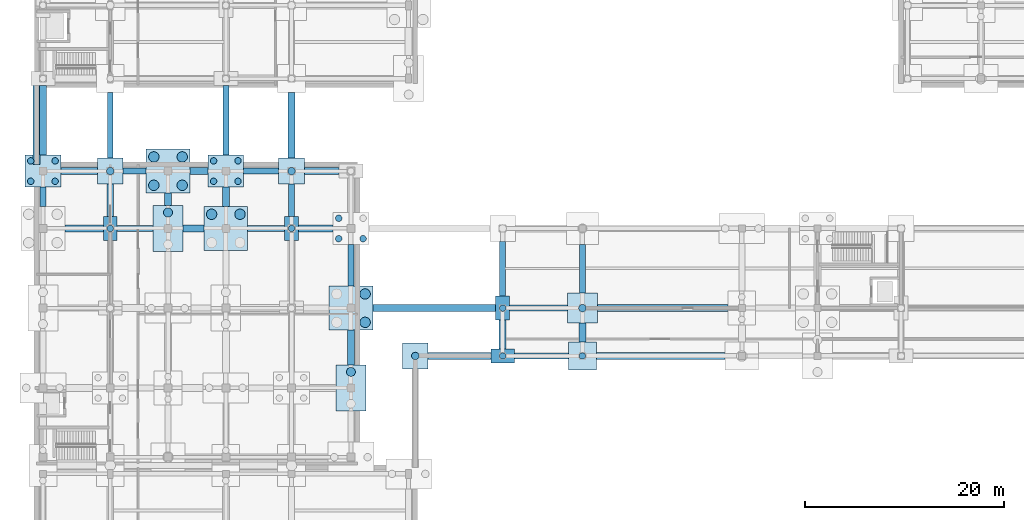
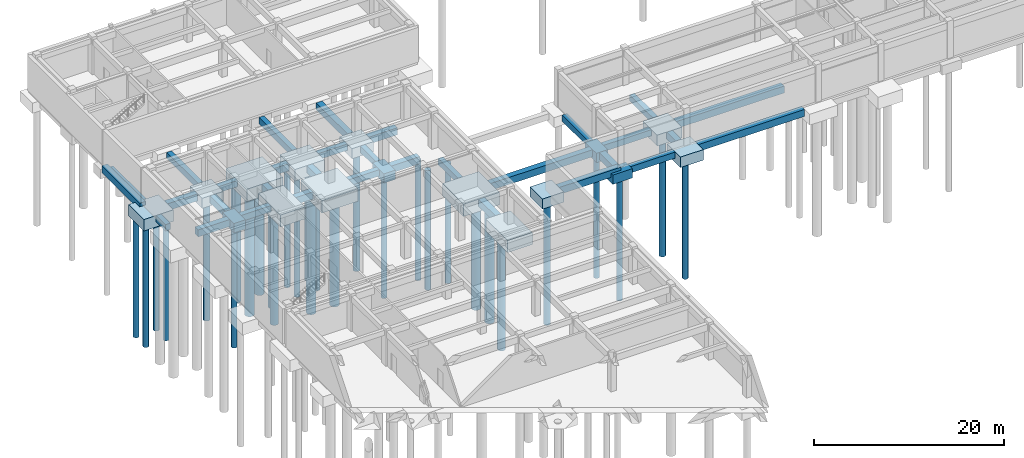
# One storey, part 4 of 35: 48 footings, 30 piles.
"""IFC4 building model written with IfcOpenShell, lengths in metres."""

from ifc_helpers import new_model, si_unit, direction, frame, origin, origin_2d, place, context, subcontext, project, spatial, polyline, rectangle, circle, outline, extrude, material, layer, layer_set, material_profile, profile_set, type_object, element, save


model = new_model("IFC4")

# Units and contexts
model_context = context("Model", 3, precision=1e-05, world=origin(), true_north=direction((0.0, 1.0)))
body_context = subcontext(model_context, "Body", "Model", "MODEL_VIEW")
ifc_project = project(units=[si_unit("LENGTHUNIT", "METRE"), si_unit("AREAUNIT", "SQUARE_METRE"), si_unit("VOLUMEUNIT", "CUBIC_METRE"), si_unit("PLANEANGLEUNIT", "RADIAN"), si_unit("MASSUNIT", "GRAM", prefix="KILO")], contexts=[model_context])

# Site, building, storey
site_placement = place(None, origin())
site = spatial("IfcSite", under=ifc_project, at=site_placement, CompositionType="ELEMENT")
building_placement = place(site_placement, origin())
building = spatial("IfcBuilding", under=site, at=building_placement, Name="Cinchona Park Media Centre", CompositionType="ELEMENT")
storey_placement = place(building_placement, frame((0.0, 0.0, -4.800048828125)))
storey = spatial("IfcBuildingStorey", under=building, at=storey_placement, Name="B1", CompositionType="ELEMENT", Elevation=-4.800048828125)

# Footings
ifc_material_1 = material(Name="Concrete C40/50", Category="concrete")
ifc_layer_1 = layer(ifc_material_1, 0.800048828125)
ifc_layer_set_1 = layer_set([ifc_layer_1], Name="Concrete C40/50")
footing_type_1 = type_object("IfcFootingType", Name="FTG-BEAM-FB01", PredefinedType="FOOTING_BEAM", material=ifc_layer_set_1)
footing_1_placement = place(storey_placement, frame((0.0, 0.0, -1.199951171875)))
element("IfcFooting", 1, at=footing_1_placement, inside=storey, type_object=footing_type_1, Name="Ground Tie Beam FB01", PredefinedType="FOOTING_BEAM", context=body_context, shape_type="SweptSolid", body=[
    extrude(outline(polyline([(56.0, 74.5), (61.39990234375, 74.5), (61.39990234375, 75.10009765625), (56.0, 75.10009765625), (56.0, 74.5)])), origin(), (0.0, 0.0, 1.0), 0.800048828125),
])
footing_2_placement = place(storey_placement, frame((0.0, 0.0, -1.199951171875)))
element("IfcFooting", 2, at=footing_2_placement, inside=storey, type_object=footing_type_1, Name="Ground Tie Beam FB01", PredefinedType="FOOTING_BEAM", context=body_context, shape_type="SweptSolid", body=[
    extrude(outline(polyline([(55.5, 79.300048828125), (61.300048828125, 79.300048828125), (61.300048828125, 79.89990234375), (55.5, 79.89990234375), (55.5, 79.300048828125)])), origin(), (0.0, 0.0, 1.0), 0.800048828125),
])
footing_3_placement = place(storey_placement, frame((0.0, 0.0, -1.25)))
element("IfcFooting", 3, at=footing_3_placement, inside=storey, type_object=footing_type_1, Name="Ground Tie Beam FB01", PredefinedType="FOOTING_BEAM", context=body_context, shape_type="SweptSolid", body=[
    extrude(outline(polyline([(16.10009765625, 87.300048828125), (19.699951171875, 87.300048828125), (19.699951171875, 87.89990234375), (16.10009765625, 87.89990234375), (16.10009765625, 87.300048828125)])), origin(), (0.0, 0.0, 1.0), 0.800048828125),
])
footing_4_placement = place(storey_placement, frame((0.0, 0.0, -1.25)))
element("IfcFooting", 4, at=footing_4_placement, inside=storey, type_object=footing_type_1, Name="Ground Tie Beam FB01", PredefinedType="FOOTING_BEAM", context=body_context, shape_type="SweptSolid", body=[
    extrude(outline(polyline([(29.199951171875, 87.300048828125), (32.89990234375, 87.300048828125), (32.89990234375, 87.89990234375), (29.199951171875, 87.89990234375), (29.199951171875, 87.300048828125)])), origin(), (0.0, 0.0, 1.0), 0.800048828125),
])
footing_5_placement = place(storey_placement, frame((0.0, 0.0, -1.25)))
element("IfcFooting", 5, at=footing_5_placement, inside=storey, type_object=footing_type_1, Name="Ground Tie Beam FB01", PredefinedType="FOOTING_BEAM", context=body_context, shape_type="SweptSolid", body=[
    extrude(outline(polyline([(16.699951171875, 93.06005859375), (19.0, 93.06005859375), (19.0, 93.659912109375), (16.699951171875, 93.659912109375), (16.699951171875, 93.06005859375)])), origin(), (0.0, 0.0, 1.0), 0.800048828125),
])
footing_6_placement = place(storey_placement, frame((0.0, 0.0, -1.25)))
element("IfcFooting", 6, at=footing_6_placement, inside=storey, type_object=footing_type_1, Name="Ground Tie Beam FB01", PredefinedType="FOOTING_BEAM", context=body_context, shape_type="SweptSolid", body=[
    extrude(outline(polyline([(28.800048828125, 93.06005859375), (32.300048828125, 93.06005859375), (32.300048828125, 93.659912109375), (28.800048828125, 93.659912109375), (28.800048828125, 93.06005859375)])), origin(), (0.0, 0.0, 1.0), 0.800048828125),
])
footing_7_placement = place(storey_placement, frame((0.0, 0.0, -1.25)))
element("IfcFooting", 7, at=footing_7_placement, inside=storey, type_object=footing_type_1, Name="Ground Tie Beam FB01", PredefinedType="FOOTING_BEAM", context=body_context, shape_type="SweptSolid", body=[
    extrude(outline(polyline([(8.340087890625, 89.800048828125), (8.93994140625, 89.800048828125), (8.93994140625, 91.760009765625), (8.340087890625, 91.760009765625), (8.340087890625, 89.800048828125)])), origin(), (0.0, 0.0, 1.0), 0.800048828125),
])
footing_8_placement = place(storey_placement, frame((0.0, 0.0, -1.25)))
element("IfcFooting", 8, at=footing_8_placement, inside=storey, type_object=footing_type_1, Name="Ground Tie Beam FB01", PredefinedType="FOOTING_BEAM", context=body_context, shape_type="SweptSolid", body=[
    extrude(outline(polyline([(15.10009765625, 94.659912109375), (15.699951171875, 94.659912109375), (15.699951171875, 101.239990234375), (15.10009765625, 101.239990234375), (15.10009765625, 94.659912109375)])), origin(), (0.0, 0.0, 1.0), 0.800048828125),
])
footing_9_placement = place(storey_placement, frame((0.0, 0.0, -1.25)))
element("IfcFooting", 9, at=footing_9_placement, inside=storey, type_object=footing_type_1, Name="Ground Tie Beam FB01", PredefinedType="FOOTING_BEAM", context=body_context, shape_type="SweptSolid", body=[
    extrude(outline(polyline([(26.699951171875, 94.9599609375), (27.300048828125, 94.9599609375), (27.300048828125, 101.93994140625), (26.699951171875, 101.93994140625), (26.699951171875, 94.9599609375)])), origin(), (0.0, 0.0, 1.0), 0.800048828125),
])
footing_10_placement = place(storey_placement, frame((0.0, 0.0, -1.25)))
element("IfcFooting", 10, at=footing_10_placement, inside=storey, type_object=footing_type_1, Name="Ground Tie Beam FB01", PredefinedType="FOOTING_BEAM", context=body_context, shape_type="SweptSolid", body=[
    extrude(outline(polyline([(33.300048828125, 88.800048828125), (33.89990234375, 88.800048828125), (33.89990234375, 92.06005859375), (33.300048828125, 92.06005859375), (33.300048828125, 88.800048828125)])), origin(), (0.0, 0.0, 1.0), 0.800048828125),
])
footing_11_placement = place(storey_placement, frame((0.0, 0.0, -1.25)))
element("IfcFooting", 11, at=footing_11_placement, inside=storey, type_object=footing_type_1, Name="Ground Tie Beam FB01", PredefinedType="FOOTING_BEAM", context=body_context, shape_type="SweptSolid", body=[
    extrude(outline(polyline([(39.260009765625, 81.800048828125), (39.860107421875, 81.800048828125), (39.860107421875, 86.0), (39.260009765625, 86.0), (39.260009765625, 81.800048828125)])), origin(), (0.0, 0.0, 1.0), 0.800048828125),
])
footing_12_placement = place(storey_placement, frame((0.0, 0.0, -1.199951171875)))
element("IfcFooting", 12, at=footing_12_placement, inside=storey, type_object=footing_type_1, Name="Ground Tie Beam FB01", PredefinedType="FOOTING_BEAM", context=body_context, shape_type="SweptSolid", body=[
    extrude(outline(polyline([(54.5, 80.800048828125), (55.10009765625, 80.800048828125), (55.10009765625, 86.300048828125), (54.5, 86.300048828125), (54.5, 80.800048828125)])), origin(), (0.0, 0.0, 1.0), 0.800048828125),
])
footing_13_placement = place(storey_placement, frame((0.0, 0.0, -1.199951171875)))
element("IfcFooting", 13, at=footing_13_placement, inside=storey, type_object=footing_type_1, Name="Ground Tie Beam FB01", PredefinedType="FOOTING_BEAM", context=body_context, shape_type="SweptSolid", body=[
    extrude(outline(polyline([(62.5, 81.10009765625), (63.10009765625, 81.10009765625), (63.10009765625, 86.0), (62.5, 86.0), (62.5, 81.10009765625)])), origin(), (0.0, 0.0, 1.0), 0.800048828125),
])
ifc_material_2 = material(Name="Concrete C40/50", Category="concrete")
ifc_layer_2 = layer(ifc_material_2, 0.89990234375)
ifc_layer_set_2 = layer_set([ifc_layer_2], Name="Concrete C40/50")
footing_type_2 = type_object("IfcFootingType", Name="FTG-BEAM-FB02", PredefinedType="FOOTING_BEAM", material=ifc_layer_set_2)
footing_14_placement = place(storey_placement, frame((0.0, 0.0, -1.300048828125)))
element("IfcFooting", 14, at=footing_14_placement, inside=storey, type_object=footing_type_2, Name="Ground Tie Beam FB02", PredefinedType="FOOTING_BEAM", context=body_context, shape_type="SweptSolid", body=[
    extrude(outline(polyline([(64.199951171875, 74.449951171875), (77.10009765625, 74.449951171875), (77.10009765625, 75.14990234375), (64.199951171875, 75.14990234375), (64.199951171875, 74.449951171875)])), origin(), (0.0, 0.0, 1.0), 0.900146484375),
])
footing_15_placement = place(storey_placement, frame((0.0, 0.0, -1.349853515625)))
element("IfcFooting", 15, at=footing_15_placement, inside=storey, type_object=footing_type_2, Name="Ground Tie Beam FB02", PredefinedType="FOOTING_BEAM", context=body_context, shape_type="SweptSolid", body=[
    extrude(outline(polyline([(41.760009765625, 79.25), (54.10009765625, 79.25), (54.10009765625, 79.949951171875), (41.760009765625, 79.949951171875), (41.760009765625, 79.25)])), origin(), (0.0, 0.0, 1.0), 0.89990234375),
])
footing_16_placement = place(storey_placement, frame((0.0, 0.0, -1.300048828125)))
element("IfcFooting", 16, at=footing_16_placement, inside=storey, type_object=footing_type_2, Name="Ground Tie Beam FB02", PredefinedType="FOOTING_BEAM", context=body_context, shape_type="SweptSolid", body=[
    extrude(outline(polyline([(64.300048828125, 79.25), (77.39990234375, 79.25), (77.39990234375, 79.949951171875), (64.300048828125, 79.949951171875), (64.300048828125, 79.25)])), origin(), (0.0, 0.0, 1.0), 0.900146484375),
])
footing_17_placement = place(storey_placement, frame((0.0, 0.0, -1.349853515625)))
element("IfcFooting", 17, at=footing_17_placement, inside=storey, type_object=footing_type_2, Name="Ground Tie Beam FB02", PredefinedType="FOOTING_BEAM", context=body_context, shape_type="SweptSolid", body=[
    extrude(outline(polyline([(10.840087890625, 87.25), (14.699951171875, 87.25), (14.699951171875, 87.949951171875), (10.840087890625, 87.949951171875), (10.840087890625, 87.25)])), origin(), (0.0, 0.0, 1.0), 0.89990234375),
])
footing_18_placement = place(storey_placement, frame((0.0, 0.0, -1.349853515625)))
element("IfcFooting", 18, at=footing_18_placement, inside=storey, type_object=footing_type_2, Name="Ground Tie Beam FB02", PredefinedType="FOOTING_BEAM", context=body_context, shape_type="SweptSolid", body=[
    extrude(outline(polyline([(22.699951171875, 87.25), (24.800048828125, 87.25), (24.800048828125, 87.949951171875), (22.699951171875, 87.949951171875), (22.699951171875, 87.25)])), origin(), (0.0, 0.0, 1.0), 0.89990234375),
])
footing_19_placement = place(storey_placement, frame((0.0, 0.0, -1.349853515625)))
element("IfcFooting", 19, at=footing_19_placement, inside=storey, type_object=footing_type_2, Name="Ground Tie Beam FB02", PredefinedType="FOOTING_BEAM", context=body_context, shape_type="SweptSolid", body=[
    extrude(outline(polyline([(34.300048828125, 87.25), (37.760009765625, 87.25), (37.760009765625, 87.949951171875), (34.300048828125, 87.949951171875), (34.300048828125, 87.25)])), origin(), (0.0, 0.0, 1.0), 0.89990234375),
])
footing_20_placement = place(storey_placement, frame((0.0, 0.0, -1.349853515625)))
element("IfcFooting", 20, at=footing_20_placement, inside=storey, type_object=footing_type_2, Name="Ground Tie Beam FB02", PredefinedType="FOOTING_BEAM", context=body_context, shape_type="SweptSolid", body=[
    extrude(outline(polyline([(10.43994140625, 93.010009765625), (14.10009765625, 93.010009765625), (14.10009765625, 93.7099609375), (10.43994140625, 93.7099609375), (10.43994140625, 93.010009765625)])), origin(), (0.0, 0.0, 1.0), 0.89990234375),
])
footing_21_placement = place(storey_placement, frame((0.0, 0.0, -1.349853515625)))
element("IfcFooting", 21, at=footing_21_placement, inside=storey, type_object=footing_type_2, Name="Ground Tie Beam FB02", PredefinedType="FOOTING_BEAM", context=body_context, shape_type="SweptSolid", body=[
    extrude(outline(polyline([(23.39990234375, 93.010009765625), (25.199951171875, 93.010009765625), (25.199951171875, 93.7099609375), (23.39990234375, 93.7099609375), (23.39990234375, 93.010009765625)])), origin(), (0.0, 0.0, 1.0), 0.89990234375),
])
footing_22_placement = place(storey_placement, frame((0.0, 0.0, -1.349853515625)))
element("IfcFooting", 22, at=footing_22_placement, inside=storey, type_object=footing_type_2, Name="Ground Tie Beam FB02", PredefinedType="FOOTING_BEAM", context=body_context, shape_type="SweptSolid", body=[
    extrude(outline(polyline([(34.89990234375, 93.010009765625), (38.360107421875, 93.010009765625), (38.360107421875, 93.7099609375), (34.89990234375, 93.7099609375), (34.89990234375, 93.010009765625)])), origin(), (0.0, 0.0, 1.0), 0.89990234375),
])
footing_23_placement = place(storey_placement, frame((0.0, 0.0, -1.349853515625)))
element("IfcFooting", 23, at=footing_23_placement, inside=storey, type_object=footing_type_2, Name="Ground Tie Beam FB02", PredefinedType="FOOTING_BEAM", context=body_context, shape_type="SweptSolid", body=[
    extrude(outline(polyline([(8.2900390625, 94.9599609375), (8.989990234375, 94.9599609375), (8.989990234375, 101.93994140625), (8.2900390625, 101.93994140625), (8.2900390625, 94.9599609375)])), origin(), (0.0, 0.0, 1.0), 0.89990234375),
])
footing_24_placement = place(storey_placement, frame((0.0, 0.0, -1.349853515625)))
element("IfcFooting", 24, at=footing_24_placement, inside=storey, type_object=footing_type_2, Name="Ground Tie Beam FB02", PredefinedType="FOOTING_BEAM", context=body_context, shape_type="SweptSolid", body=[
    extrude(outline(polyline([(15.050048828125, 88.800048828125), (15.75, 88.800048828125), (15.75, 92.06005859375), (15.050048828125, 92.06005859375), (15.050048828125, 88.800048828125)])), origin(), (0.0, 0.0, 1.0), 0.89990234375),
])
footing_25_placement = place(storey_placement, frame((0.0, 0.0, -1.349853515625)))
element("IfcFooting", 25, at=footing_25_placement, inside=storey, type_object=footing_type_2, Name="Ground Tie Beam FB02", PredefinedType="FOOTING_BEAM", context=body_context, shape_type="SweptSolid", body=[
    extrude(outline(polyline([(20.85009765625, 89.89990234375), (21.550048828125, 89.89990234375), (21.550048828125, 91.159912109375), (20.85009765625, 91.159912109375), (20.85009765625, 89.89990234375)])), origin(), (0.0, 0.0, 1.0), 0.89990234375),
])
footing_26_placement = place(storey_placement, frame((0.0, 0.0, -1.349853515625)))
element("IfcFooting", 26, at=footing_26_placement, inside=storey, type_object=footing_type_2, Name="Ground Tie Beam FB02", PredefinedType="FOOTING_BEAM", context=body_context, shape_type="SweptSolid", body=[
    extrude(outline(polyline([(26.64990234375, 89.800048828125), (27.35009765625, 89.800048828125), (27.35009765625, 91.760009765625), (26.64990234375, 91.760009765625), (26.64990234375, 89.800048828125)])), origin(), (0.0, 0.0, 1.0), 0.89990234375),
])
footing_27_placement = place(storey_placement, frame((0.0, 0.0, -1.349853515625)))
element("IfcFooting", 27, at=footing_27_placement, inside=storey, type_object=footing_type_2, Name="Ground Tie Beam FB02", PredefinedType="FOOTING_BEAM", context=body_context, shape_type="SweptSolid", body=[
    extrude(outline(polyline([(33.25, 94.659912109375), (33.949951171875, 94.659912109375), (33.949951171875, 101.239990234375), (33.25, 101.239990234375), (33.25, 94.659912109375)])), origin(), (0.0, 0.0, 1.0), 0.89990234375),
])
footing_28_placement = place(storey_placement, frame((0.0, 0.0, -1.349853515625)))
element("IfcFooting", 28, at=footing_28_placement, inside=storey, type_object=footing_type_2, Name="Ground Tie Beam FB02", PredefinedType="FOOTING_BEAM", context=body_context, shape_type="SweptSolid", body=[
    extrude(outline(polyline([(39.2099609375, 73.89990234375), (39.909912109375, 73.89990234375), (39.909912109375, 77.39990234375), (39.2099609375, 77.39990234375), (39.2099609375, 73.89990234375)])), origin(), (0.0, 0.0, 1.0), 0.89990234375),
])
footing_29_placement = place(storey_placement, frame((0.0, 0.0, -1.300048828125)))
element("IfcFooting", 29, at=footing_29_placement, inside=storey, type_object=footing_type_2, Name="Ground Tie Beam FB02", PredefinedType="FOOTING_BEAM", context=body_context, shape_type="SweptSolid", body=[
    extrude(outline(polyline([(54.449951171875, 75.5), (55.14990234375, 75.5), (55.14990234375, 78.39990234375), (54.449951171875, 78.39990234375), (54.449951171875, 75.5)])), origin(), (0.0, 0.0, 1.0), 0.900146484375),
])
footing_30_placement = place(storey_placement, frame((0.0, 0.0, -1.300048828125)))
element("IfcFooting", 30, at=footing_30_placement, inside=storey, type_object=footing_type_2, Name="Ground Tie Beam FB02", PredefinedType="FOOTING_BEAM", context=body_context, shape_type="SweptSolid", body=[
    extrude(outline(polyline([(62.449951171875, 76.199951171875), (63.14990234375, 76.199951171875), (63.14990234375, 78.10009765625), (62.449951171875, 78.10009765625), (62.449951171875, 76.199951171875)])), origin(), (0.0, 0.0, 1.0), 0.900146484375),
])
footing_31_placement = place(storey_placement, frame((0.0, 0.0, -0.89990234375)))
element("IfcFooting", 31, at=footing_31_placement, inside=storey, type_object=footing_type_2, Name="Ground Tie Beam FB02", PredefinedType="FOOTING_BEAM", context=body_context, shape_type="SweptSolid", body=[
    extrude(outline(polyline([(7.64990234375, 94.010009765625), (8.35009765625, 94.010009765625), (8.35009765625, 101.989990234375), (7.64990234375, 101.989990234375), (7.64990234375, 94.010009765625)])), origin(), (0.0, 0.0, 1.0), 0.89990234375),
])
footing_32_placement = place(storey_placement, frame((0.0, 0.0, -0.89990234375)))
element("IfcFooting", 32, at=footing_32_placement, inside=storey, type_object=footing_type_2, Name="Ground Tie Beam FB02", PredefinedType="FOOTING_BEAM", context=body_context, shape_type="SweptSolid", body=[
    extrude(outline(polyline([(47.320068359375, 74.449951171875), (54.7900390625, 74.449951171875), (54.7900390625, 75.14990234375), (47.320068359375, 75.14990234375), (47.320068359375, 74.449951171875)])), origin(), (0.0, 0.0, 1.0), 0.89990234375),
])

# Piles
ifc_material_3 = material(Name="Concrete C40/50", Category="concrete")
ifc_material_profile_1 = material_profile(ifc_material_3, circle(Radius=0.52490234375, at=origin_2d()), Name="BORED PILE 1050")
ifc_profile_set_1 = profile_set([ifc_material_profile_1], Name="Concrete C40/50")
pile_type_1 = type_object("IfcPileType", Name="PILE-BP1050", PredefinedType="BORED", material=ifc_profile_set_1)
for number, where, z_axis, x_axis, name in (
    (33, (19.77490234375, 91.93505859375, -1.949951171875), (0.0, 0.0, -1.0), (1.0, 0.0, 0.0), "Bored Pile P1050"),
    (34, (19.77490234375, 94.784912109375, -1.949951171875), (0.0, 0.0, -1.0), (1.0, 0.0, 0.0), "Bored Pile P1050"),
    (35, (22.625, 91.93505859375, -1.949951171875), (0.0, 0.0, -1.0), (1.0, 0.0, 0.0), "Bored Pile P1050"),
    (36, (22.625, 94.784912109375, -1.949951171875), (0.0, 0.0, -1.0), (1.0, 0.0, 0.0), "Bored Pile P1050"),
    (37, (25.574951171875, 89.02490234375, -1.949951171875), (0.0, 0.0, -1.0), (1.0, 0.0, 0.0), "Bored Pile P1050"),
    (38, (28.425048828125, 89.02490234375, -1.949951171875), (0.0, 0.0, -1.0), (1.0, 0.0, 0.0), "Bored Pile P1050"),
    (39, (40.985107421875, 78.175048828125, -1.949951171875), (0.0, 0.0, -1.0), (1.0, 0.0, 0.0), "Bored Pile P1050"),
    (40, (40.985107421875, 81.02490234375, -1.949951171875), (0.0, 0.0, -1.0), (1.0, 0.0, 0.0), "Bored Pile P1050"),
):
    element("IfcPile", number, at=place(storey_placement, frame(where, z_axis=z_axis, x_axis=x_axis)), inside=storey, type_object=pile_type_1, Name=name, PredefinedType="BORED", context=body_context, shape_type="SweptSolid", body=[
        extrude(circle(Radius=0.52490234375, at=origin_2d()), origin(), (0.0, 0.0, 1.0), 15.25),
    ])
ifc_material_4 = material(Name="Concrete C40/50", Category="concrete")
ifc_material_profile_2 = material_profile(ifc_material_4, circle(Radius=0.324951171875, at=origin_2d()), Name="BORED PILE 650")
ifc_profile_set_2 = profile_set([ifc_material_profile_2], Name="Concrete C40/50")
pile_type_2 = type_object("IfcPileType", Name="PILE-BP650", PredefinedType="BORED", material=ifc_profile_set_2)
for number, where, z_axis, x_axis, name in (
    (41, (7.4150390625, 92.3349609375, -1.829833984375), (0.0, 0.0, -1.0), (1.0, 0.0, 0.0), "Bored Pile P650"),
    (42, (7.4150390625, 94.385009765625, -1.829833984375), (0.0, 0.0, -1.0), (1.0, 0.0, 0.0), "Bored Pile P650"),
    (43, (9.864990234375, 92.3349609375, -1.829833984375), (0.0, 0.0, -1.0), (1.0, 0.0, 0.0), "Bored Pile P650"),
    (44, (9.864990234375, 94.385009765625, -1.829833984375), (0.0, 0.0, -1.0), (1.0, 0.0, 0.0), "Bored Pile P650"),
):
    element("IfcPile", number, at=place(storey_placement, frame(where, z_axis=z_axis, x_axis=x_axis)), inside=storey, type_object=pile_type_2, Name=name, PredefinedType="BORED", context=body_context, shape_type="SweptSolid", body=[
        extrude(circle(Radius=0.324951171875, at=origin_2d()), origin(), (0.0, 0.0, 1.0), 15.3701171875),
    ])
pile_1_placement = place(storey_placement, frame((15.39990234375, 87.60009765625, -1.550048828125), z_axis=(0.0, 0.0, -1.0), x_axis=(1.0, 0.0, 0.0)))
element("IfcPile", 45, at=pile_1_placement, inside=storey, type_object=pile_type_2, Name="Bored Pile P650", PredefinedType="BORED", context=body_context, shape_type="SweptSolid", body=[
    extrude(circle(Radius=0.324951171875, at=origin_2d()), origin(), (0.0, 0.0, 1.0), 15.64990234375),
])
for number, where, z_axis, x_axis, name in (
    (46, (25.77490234375, 92.3349609375, -1.829833984375), (0.0, 0.0, -1.0), (1.0, 0.0, 0.0), "Bored Pile P650"),
    (47, (25.77490234375, 94.385009765625, -1.829833984375), (0.0, 0.0, -1.0), (1.0, 0.0, 0.0), "Bored Pile P650"),
    (48, (28.22509765625, 92.3349609375, -1.829833984375), (0.0, 0.0, -1.0), (1.0, 0.0, 0.0), "Bored Pile P650"),
    (49, (28.22509765625, 94.385009765625, -1.829833984375), (0.0, 0.0, -1.0), (1.0, 0.0, 0.0), "Bored Pile P650"),
):
    element("IfcPile", number, at=place(storey_placement, frame(where, z_axis=z_axis, x_axis=x_axis)), inside=storey, type_object=pile_type_2, Name=name, PredefinedType="BORED", context=body_context, shape_type="SweptSolid", body=[
        extrude(circle(Radius=0.324951171875, at=origin_2d()), origin(), (0.0, 0.0, 1.0), 15.3701171875),
    ])
pile_2_placement = place(storey_placement, frame((33.60009765625, 87.60009765625, -1.550048828125), z_axis=(0.0, 0.0, -1.0), x_axis=(1.0, 0.0, 0.0)))
element("IfcPile", 50, at=pile_2_placement, inside=storey, type_object=pile_type_2, Name="Bored Pile P650", PredefinedType="BORED", context=body_context, shape_type="SweptSolid", body=[
    extrude(circle(Radius=0.324951171875, at=origin_2d()), origin(), (0.0, 0.0, 1.0), 15.64990234375),
])
for number, where, z_axis, x_axis, name in (
    (51, (38.3349609375, 86.574951171875, -1.829833984375), (0.0, 0.0, -1.0), (1.0, 0.0, 0.0), "Bored Pile P650"),
    (52, (38.3349609375, 88.625, -1.829833984375), (0.0, 0.0, -1.0), (1.0, 0.0, 0.0), "Bored Pile P650"),
    (53, (40.784912109375, 86.574951171875, -1.829833984375), (0.0, 0.0, -1.0), (1.0, 0.0, 0.0), "Bored Pile P650"),
):
    element("IfcPile", number, at=place(storey_placement, frame(where, z_axis=z_axis, x_axis=x_axis)), inside=storey, type_object=pile_type_2, Name=name, PredefinedType="BORED", context=body_context, shape_type="SweptSolid", body=[
        extrude(circle(Radius=0.324951171875, at=origin_2d()), origin(), (0.0, 0.0, 1.0), 15.3701171875),
    ])
for number, where, z_axis, x_axis, name in (
    (54, (54.800048828125, 74.800048828125, -1.5), (0.0, 0.0, -1.0), (1.0, 0.0, 0.0), "Bored Pile P650"),
    (55, (54.800048828125, 79.60009765625, -1.5), (0.0, 0.0, -1.0), (1.0, 0.0, 0.0), "Bored Pile P650"),
):
    element("IfcPile", number, at=place(storey_placement, frame(where, z_axis=z_axis, x_axis=x_axis)), inside=storey, type_object=pile_type_2, Name=name, PredefinedType="BORED", context=body_context, shape_type="SweptSolid", body=[
        extrude(circle(Radius=0.324951171875, at=origin_2d()), origin(), (0.0, 0.0, 1.0), 15.699951171875),
    ])
pile_3_placement = place(storey_placement, frame((62.800048828125, 74.800048828125, -1.64990234375), z_axis=(0.0, 0.0, -1.0), x_axis=(1.0, 0.0, 0.0)))
element("IfcPile", 56, at=pile_3_placement, inside=storey, type_object=pile_type_2, Name="Bored Pile P650", PredefinedType="BORED", context=body_context, shape_type="SweptSolid", body=[
    extrude(circle(Radius=0.324951171875, at=origin_2d()), origin(), (0.0, 0.0, 1.0), 15.550048828125),
])
ifc_material_5 = material(Name="Concrete C40/50", Category="concrete")
ifc_material_profile_3 = material_profile(ifc_material_5, circle(Radius=0.375, at=origin_2d()), Name="BORED PILE 750")
ifc_profile_set_3 = profile_set([ifc_material_profile_3], Name="Concrete C40/50")
pile_type_3 = type_object("IfcPileType", Name="PILE-BP750", PredefinedType="BORED", material=ifc_profile_set_3)
for number, where, z_axis, x_axis, name in (
    (57, (15.39990234375, 93.360107421875, -1.64990234375), (0.0, 0.0, -1.0), (1.0, 0.0, 0.0), "Bored Pile P750"),
    (58, (33.60009765625, 93.360107421875, -1.64990234375), (0.0, 0.0, -1.0), (1.0, 0.0, 0.0), "Bored Pile P750"),
):
    element("IfcPile", number, at=place(storey_placement, frame(where, z_axis=z_axis, x_axis=x_axis)), inside=storey, type_object=pile_type_3, Name=name, PredefinedType="BORED", context=body_context, shape_type="SweptSolid", body=[
        extrude(circle(Radius=0.375, at=origin_2d()), origin(), (0.0, 0.0, 1.0), 15.550048828125),
    ])
pile_4_placement = place(storey_placement, frame((62.800048828125, 79.60009765625, -1.699951171875), z_axis=(0.0, 0.0, -1.0), x_axis=(1.0, 0.0, 0.0)))
element("IfcPile", 59, at=pile_4_placement, inside=storey, type_object=pile_type_3, Name="Bored Pile P750", PredefinedType="BORED", context=body_context, shape_type="SweptSolid", body=[
    extrude(circle(Radius=0.375, at=origin_2d()), origin(), (0.0, 0.0, 1.0), 15.5),
])
pile_5_placement = place(storey_placement, frame((46.02001953125, 74.800048828125, -1.199951171875), z_axis=(0.0, 0.0, -1.0), x_axis=(1.0, 0.0, 0.0)))
element("IfcPile", 60, at=pile_5_placement, inside=storey, type_object=pile_type_3, Name="Bored Pile P750", PredefinedType="BORED", context=body_context, shape_type="SweptSolid", body=[
    extrude(circle(Radius=0.375, at=origin_2d()), origin(), (0.0, 0.0, 1.0), 16.0),
])
ifc_material_6 = material(Name="Concrete C40/50", Category="concrete")
ifc_material_profile_4 = material_profile(ifc_material_6, circle(Radius=0.449951171875, at=origin_2d()), Name="BORED PILE 900")
ifc_profile_set_4 = profile_set([ifc_material_profile_4], Name="Concrete C40/50")
pile_type_4 = type_object("IfcPileType", Name="PILE-BP900", PredefinedType="BORED", material=ifc_profile_set_4)
for number, where, z_axis, x_axis, name in (
    (61, (21.199951171875, 89.199951171875, -1.89990234375), (0.0, 0.0, -1.0), (1.0, 0.0, 0.0), "Bored Pile P900"),
    (62, (39.56005859375, 73.199951171875, -1.89990234375), (0.0, 0.0, -1.0), (1.0, 0.0, 0.0), "Bored Pile P900"),
):
    element("IfcPile", number, at=place(storey_placement, frame(where, z_axis=z_axis, x_axis=x_axis)), inside=storey, type_object=pile_type_4, Name=name, PredefinedType="BORED", context=body_context, shape_type="SweptSolid", body=[
        extrude(circle(Radius=0.449951171875, at=origin_2d()), origin(), (0.0, 0.0, 1.0), 15.300048828125),
    ])

# Footings
ifc_material_7 = material(Name="Concrete C40/50", Category="concrete")
ifc_layer_3 = layer(ifc_material_7, 1.199951171875)
ifc_layer_set_3 = layer_set([ifc_layer_3], Name="Concrete C40/50")
footing_type_3 = type_object("IfcFootingType", Name="PILE-CAP-PC01", PredefinedType="PILE_CAP", material=ifc_layer_set_3)
footing_33_placement = place(storey_placement, frame((54.800048828125, 74.800048828125, -1.60009765625), z_axis=(0.0, 0.0, 1.0), x_axis=(1.0, 0.0, 0.0)))
element("IfcFooting", 63, at=footing_33_placement, inside=storey, type_object=footing_type_3, Name="Pile Cap PC01", PredefinedType="PILE_CAP", context=body_context, shape_type="SweptSolid", body=[
    extrude(rectangle(XDim=2.39990234375, YDim=1.39990234375, at=origin_2d()), origin(), (0.0, 0.0, 1.0), 1.199951171875),
])
ifc_material_8 = material(Name="Concrete C40/50", Category="concrete")
ifc_layer_4 = layer(ifc_material_8, 1.199951171875)
ifc_layer_set_4 = layer_set([ifc_layer_4], Name="Concrete C40/50")
footing_type_4 = type_object("IfcFootingType", Name="PILE-CAP-PC02", PredefinedType="PILE_CAP", material=ifc_layer_set_4)
for number, where, z_axis, x_axis, name in (
    (64, (15.39990234375, 87.60009765625, -1.64990234375), (0.0, 0.0, 1.0), (1.0, 0.0, 0.0), "Pile Cap PC02"),
    (65, (33.60009765625, 87.60009765625, -1.64990234375), (0.0, 0.0, 1.0), (1.0, 0.0, 0.0), "Pile Cap PC02"),
    (66, (54.800048828125, 79.60009765625, -1.60009765625), (0.0, 0.0, 1.0), (1.0, 0.0, 0.0), "Pile Cap PC02"),
):
    element("IfcFooting", number, at=place(storey_placement, frame(where, z_axis=z_axis, x_axis=x_axis)), inside=storey, type_object=footing_type_4, Name=name, PredefinedType="PILE_CAP", context=body_context, shape_type="SweptSolid", body=[
        extrude(rectangle(XDim=1.39990234375, YDim=2.39990234375, at=origin_2d()), origin(), (0.0, 0.0, 1.0), 1.199951171875),
    ])
ifc_material_9 = material(Name="Concrete C40/50", Category="concrete")
ifc_layer_5 = layer(ifc_material_9, 1.300048828125)
ifc_layer_set_5 = layer_set([ifc_layer_5], Name="Concrete C40/50")
footing_type_5 = type_object("IfcFootingType", Name="PILE-CAP-PC03", PredefinedType="PILE_CAP", material=ifc_layer_set_5)
for number, where, z_axis, x_axis, name in (
    (67, (15.39990234375, 93.360107421875, -1.75), (0.0, 0.0, 1.0), (1.0, 0.0, 0.0), "Pile Cap PC03"),
    (68, (33.60009765625, 93.360107421875, -1.75), (0.0, 0.0, 1.0), (1.0, 0.0, 0.0), "Pile Cap PC03"),
    (69, (46.02001953125, 74.800048828125, -1.2998046875), (0.0, 0.0, 1.0), (1.0, 0.0, 0.0), "Pile Cap PC03"),
):
    element("IfcFooting", number, at=place(storey_placement, frame(where, z_axis=z_axis, x_axis=x_axis)), inside=storey, type_object=footing_type_5, Name=name, PredefinedType="PILE_CAP", context=body_context, shape_type="SweptSolid", body=[
        extrude(rectangle(XDim=2.60009765625, YDim=2.60009765625, at=origin_2d()), origin(), (0.0, 0.0, 1.0), 1.300048828125),
    ])
ifc_material_10 = material(Name="Concrete C40/50", Category="concrete")
ifc_layer_6 = layer(ifc_material_10, 1.35009765625)
ifc_layer_set_6 = layer_set([ifc_layer_6], Name="Concrete C40/50")
footing_type_6 = type_object("IfcFootingType", Name="PILE-CAP-PC04", PredefinedType="PILE_CAP", material=ifc_layer_set_6)
footing_34_placement = place(storey_placement, frame((62.800048828125, 74.800048828125, -1.75), z_axis=(0.0, 0.0, 1.0), x_axis=(1.0, 0.0, 0.0)))
element("IfcFooting", 70, at=footing_34_placement, inside=storey, type_object=footing_type_6, Name="Pile Cap PC04", PredefinedType="PILE_CAP", context=body_context, shape_type="SweptSolid", body=[
    extrude(rectangle(XDim=2.800048828125, YDim=2.800048828125, at=origin_2d()), origin(), (0.0, 0.0, 1.0), 1.35009765625),
])
ifc_material_11 = material(Name="Concrete C40/50", Category="concrete")
ifc_layer_7 = layer(ifc_material_11, 1.39990234375)
ifc_layer_set_7 = layer_set([ifc_layer_7], Name="Concrete C40/50")
footing_type_7 = type_object("IfcFootingType", Name="PILE-CAP-PC05", PredefinedType="PILE_CAP", material=ifc_layer_set_7)
footing_35_placement = place(storey_placement, frame((62.800048828125, 79.60009765625, -1.7998046875), z_axis=(0.0, 0.0, 1.0), x_axis=(1.0, 0.0, 0.0)))
element("IfcFooting", 71, at=footing_35_placement, inside=storey, type_object=footing_type_7, Name="Pile Cap PC05", PredefinedType="PILE_CAP", context=body_context, shape_type="SweptSolid", body=[
    extrude(rectangle(XDim=3.0, YDim=3.0, at=origin_2d()), origin(), (0.0, 0.0, 1.0), 1.39990234375),
])
ifc_material_12 = material(Name="Concrete C40/50", Category="concrete")
ifc_layer_8 = layer(ifc_material_12, 1.550048828125)
ifc_layer_set_8 = layer_set([ifc_layer_8], Name="Concrete C40/50")
footing_type_8 = type_object("IfcFootingType", Name="PILE-CAP-PC12", PredefinedType="PILE_CAP", material=ifc_layer_set_8)
for number, where, z_axis, x_axis, name in (
    (72, (21.199951171875, 87.60009765625, -2.0), (0.0, 0.0, 1.0), (1.0, 0.0, 0.0), "Pile Cap PC12"),
    (73, (39.56005859375, 71.60009765625, -2.0), (0.0, 0.0, 1.0), (1.0, 0.0, 0.0), "Pile Cap PC12"),
):
    element("IfcFooting", number, at=place(storey_placement, frame(where, z_axis=z_axis, x_axis=x_axis)), inside=storey, type_object=footing_type_8, Name=name, PredefinedType="PILE_CAP", context=body_context, shape_type="SweptSolid", body=[
        extrude(rectangle(XDim=3.0, YDim=4.60009765625, at=origin_2d()), origin(), (0.0, 0.0, 1.0), 1.550048828125),
    ])
ifc_material_13 = material(Name="Concrete C40/50", Category="concrete")
ifc_layer_9 = layer(ifc_material_13, 1.60009765625)
ifc_layer_set_9 = layer_set([ifc_layer_9], Name="Concrete C40/50")
footing_type_9 = type_object("IfcFootingType", Name="PILE-CAP-PC13", PredefinedType="PILE_CAP", material=ifc_layer_set_9)
for number, where, z_axis, x_axis, name in (
    (74, (21.199951171875, 93.360107421875, -2.050048828125), (0.0, 0.0, 1.0), (1.0, 0.0, 0.0), "Pile Cap PC13"),
    (75, (27.0, 87.60009765625, -2.050048828125), (0.0, 0.0, 1.0), (1.0, 0.0, 0.0), "Pile Cap PC13"),
    (76, (39.56005859375, 79.60009765625, -2.050048828125), (0.0, 0.0, 1.0), (1.0, 0.0, 0.0), "Pile Cap PC13"),
):
    element("IfcFooting", number, at=place(storey_placement, frame(where, z_axis=z_axis, x_axis=x_axis)), inside=storey, type_object=footing_type_9, Name=name, PredefinedType="PILE_CAP", context=body_context, shape_type="SweptSolid", body=[
        extrude(rectangle(XDim=4.39990234375, YDim=4.39990234375, at=origin_2d()), origin(), (0.0, 0.0, 1.0), 1.60009765625),
    ])
ifc_material_14 = material(Name="Concrete C40/50", Category="concrete")
ifc_layer_10 = layer(ifc_material_14, 1.47998046875)
ifc_layer_set_10 = layer_set([ifc_layer_10], Name="Concrete C40/50")
footing_type_10 = type_object("IfcFootingType", Name="PILE-CAP-PC15", PredefinedType="PILE_CAP", material=ifc_layer_set_10)
for number, where, z_axis, x_axis, name in (
    (77, (8.639892578125, 93.360107421875, -1.929931640625), (0.0, 0.0, 1.0), (1.0, 0.0, 0.0), "Pile Cap PC15"),
    (78, (27.0, 93.360107421875, -1.929931640625), (0.0, 0.0, 1.0), (1.0, 0.0, 0.0), "Pile Cap PC15"),
):
    element("IfcFooting", number, at=place(storey_placement, frame(where, z_axis=z_axis, x_axis=x_axis)), inside=storey, type_object=footing_type_10, Name=name, PredefinedType="PILE_CAP", context=body_context, shape_type="SweptSolid", body=[
        extrude(rectangle(XDim=3.60009765625, YDim=3.199951171875, at=origin_2d()), origin(), (0.0, 0.0, 1.0), 1.47998046875),
    ])

save(model, "model.ifc")
